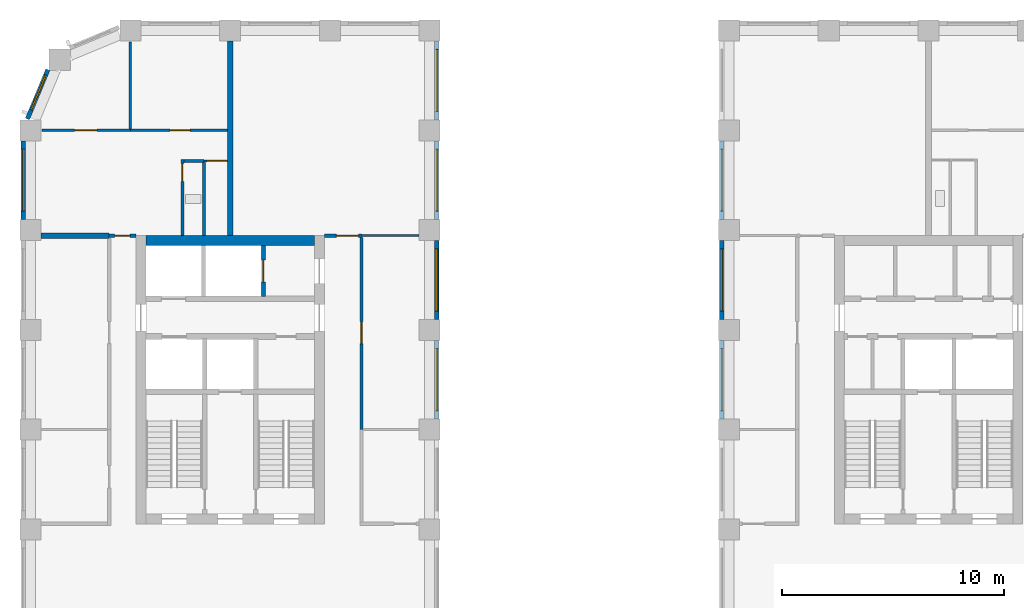
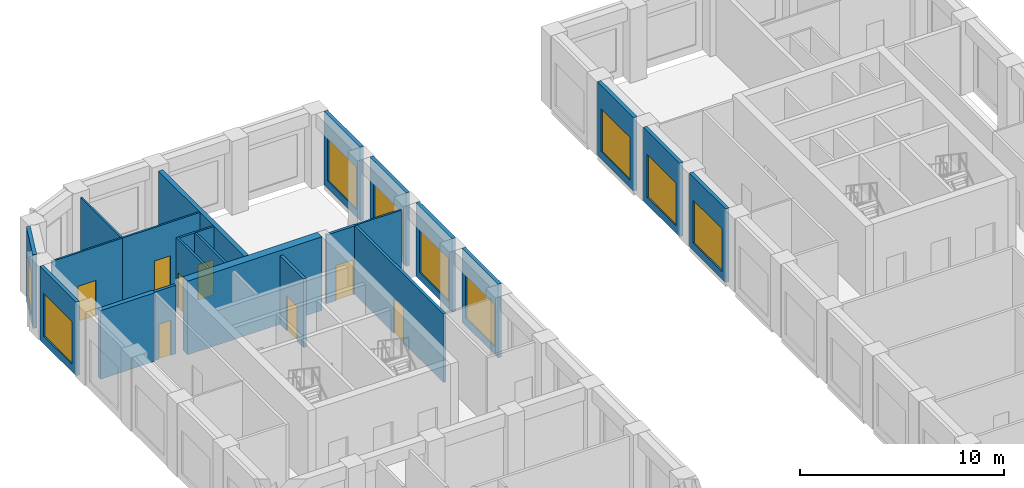
# One storey, part 7 of 13: 24 walls, 9 windows, 8 doors, 17 openings.
"""IFC4 building model written with IfcOpenShell, lengths in metres."""

from ifc_helpers import new_model, si_unit, direction, frame, frame_2d, origin, place, context, subcontext, project, spatial, rectangle, extrude, material, layer, layer_set, type_object, element, fill, save


model = new_model("IFC4")

# Units and contexts
model_context = context("Model", 3, precision=1e-05, world=origin(), true_north=direction((0.0, 1.0)))
body_context = subcontext(model_context, "Body", "Model", "MODEL_VIEW")
ifc_project = project(units=[si_unit("LENGTHUNIT", "METRE"), si_unit("AREAUNIT", "SQUARE_METRE"), si_unit("VOLUMEUNIT", "CUBIC_METRE"), si_unit("PLANEANGLEUNIT", "RADIAN"), si_unit("MASSUNIT", "GRAM", prefix="KILO")], contexts=[model_context])

# Site, building, storey
site_placement = place(None, origin())
site = spatial("IfcSite", under=ifc_project, at=site_placement, CompositionType="ELEMENT")
building_placement = place(site_placement, origin())
building = spatial("IfcBuilding", under=site, at=building_placement, Name="Girih Gate Residences", CompositionType="ELEMENT")
storey_placement = place(building_placement, frame((0.0, 0.0, 150.60009765625)))
storey = spatial("IfcBuildingStorey", under=building, at=storey_placement, Name="L42", CompositionType="ELEMENT", Elevation=150.60009765625)

# Walls
ifc_material_1 = material(Name="Gypsum board on steel studs", Category="steel")
ifc_layer_1 = layer(ifc_material_1, 0.25)
ifc_layer_set_1 = layer_set([ifc_layer_1], Name="Acoustic separating wall 250 mm")
wall_type_1 = type_object("IfcWallType", Name="Acoustic separating wall 250 mm", PredefinedType="PARTITIONING", material=ifc_layer_set_1)
wall_1_placement = place(storey_placement, frame((0.47509765625, 40.25, 0.0), z_axis=(0.0, 0.0, 1.0), x_axis=(1.0, 0.0, 0.0)))
element("IfcWall", 1, at=wall_1_placement, inside=storey, type_object=wall_type_1, Name="L42 partition", PredefinedType="PARTITIONING", context=body_context, shape_type="SweptSolid", body=[
    extrude(rectangle(XDim=3.074951171875, YDim=0.25, at=frame_2d((1.53759765625, 0.0))), origin(), (0.0, 0.0, 1.0), 4.099853515625),
])
wall_2_placement = place(storey_placement, frame((9.0, 40.25, 0.0), z_axis=(0.0, 0.0, 1.0), x_axis=(0.0, 1.0, 0.0)))
element("IfcWall", 2, at=wall_2_placement, inside=storey, type_object=wall_type_1, Name="L42 partition", PredefinedType="PARTITIONING", context=body_context, shape_type="SweptSolid", body=[
    extrude(rectangle(XDim=8.77490234375, YDim=0.25, at=frame_2d((4.387451171875, 0.0))), origin(), (0.0, 0.0, 1.0), 4.099853515625),
])

# Wall, opening, door
ifc_layer_2 = layer(ifc_material_1, 0.14990234375)
ifc_layer_set_2 = layer_set([ifc_layer_2], Name="Compartment wall 150 mm")
wall_type_2 = type_object("IfcWallType", Name="Compartment wall 150 mm", PredefinedType="PARTITIONING", material=ifc_layer_set_2)
wall_3_placement = place(storey_placement, frame((3.550048828125, 40.25, 0.0), z_axis=(0.0, 0.0, 1.0), x_axis=(1.0, 0.0, 0.0)))
wall_3 = element("IfcWall", 3, at=wall_3_placement, inside=storey, type_object=wall_type_2, Name="L42 partition", PredefinedType="PARTITIONING", context=body_context, shape_type="SweptSolid", body=[
    extrude(rectangle(XDim=1.199951171875, YDim=0.14990234375, at=frame_2d((0.60009765625, 0.0))), origin(), (0.0, 0.0, 1.0), 4.099853515625),
])
opening_1_placement = place(wall_3_placement, frame((0.239990234375, 0.0, 0.0)))
opening_1 = element("IfcOpeningElement", 4, at=opening_1_placement, cuts=wall_3, Name="Opening A42-011", PredefinedType="OPENING", context=body_context, shape_type="SweptSolid", body=[
    extrude(rectangle(XDim=0.699951171875, YDim=2.10009765625, at=frame_2d((0.35009765625, 1.050048828125))), frame((0.0, 0.0849609375, 0.0), z_axis=(0.0, -1.0, 0.0), x_axis=(1.0, 0.0, 0.0)), (0.0, 0.0, 1.0), 0.169921875),
])
ifc_material_2 = material(Name="Timber", Category="wood")
door_type_1 = type_object("IfcDoorType", Name="Narrow door 700x2100", OperationType="NOTDEFINED", PredefinedType="DOOR", material=ifc_material_2)
door_1_placement = place(opening_1_placement, origin())
door_1 = element("IfcDoor", 5, at=door_1_placement, inside=storey, type_object=door_type_1, Name="Door A42-011", OperationType="SINGLE_SWING_LEFT", OverallHeight=2.10009765625, OverallWidth=0.699951171875, PredefinedType="DOOR", context=body_context, shape_type="SweptSolid", body=[
    extrude(rectangle(XDim=0.699951171875, YDim=2.10009765625, at=frame_2d((0.35009765625, 1.050048828125))), frame((0.0, 0.02490234375, 0.0), z_axis=(0.0, -1.0, 0.0), x_axis=(1.0, 0.0, 0.0)), (0.0, 0.0, 1.0), 0.050048828125),
])
fill(opening_1, door_1)

wall_4_placement = place(storey_placement, frame((13.25, 40.25, 0.0), z_axis=(0.0, 0.0, 1.0), x_axis=(1.0, 0.0, 0.0)))
wall_4 = element("IfcWall", 6, at=wall_4_placement, inside=storey, type_object=wall_type_2, Name="L42 partition", PredefinedType="PARTITIONING", context=body_context, shape_type="SweptSolid", body=[
    extrude(rectangle(XDim=1.675048828125, YDim=0.14990234375, at=frame_2d((0.83740234375, 0.0))), origin(), (0.0, 0.0, 1.0), 4.099853515625),
])
opening_2_placement = place(wall_4_placement, frame((0.544921875, 0.0, 0.0)))
opening_2 = element("IfcOpeningElement", 7, at=opening_2_placement, cuts=wall_4, Name="Opening A42-034", PredefinedType="OPENING", context=body_context, shape_type="SweptSolid", body=[
    extrude(rectangle(XDim=1.0, YDim=2.10009765625, at=frame_2d((0.5, 1.050048828125))), frame((0.0, 0.0849609375, 0.0), z_axis=(0.0, -1.0, 0.0), x_axis=(1.0, 0.0, 0.0)), (0.0, 0.0, 1.0), 0.169921875),
])
ifc_material_3 = material(Name="Timber, fire-rated core", Category="wood")
door_type_2 = type_object("IfcDoorType", Name="Amenity room door 1000x2100 FD30S", OperationType="NOTDEFINED", PredefinedType="DOOR", material=ifc_material_3)
door_2_placement = place(opening_2_placement, origin())
door_2 = element("IfcDoor", 8, at=door_2_placement, inside=storey, type_object=door_type_2, Name="Door A42-034", OperationType="SINGLE_SWING_RIGHT", OverallHeight=2.10009765625, OverallWidth=1.0, PredefinedType="DOOR", context=body_context, shape_type="SweptSolid", body=[
    extrude(rectangle(XDim=1.0, YDim=2.10009765625, at=frame_2d((0.5, 1.050048828125))), frame((0.0, 0.02490234375, 0.0), z_axis=(0.0, -1.0, 0.0), x_axis=(1.0, 0.0, 0.0)), (0.0, 0.0, 1.0), 0.050048828125),
])
fill(opening_2, door_2)

wall_5_placement = place(storey_placement, frame((14.925048828125, 40.175048828125, 0.0), z_axis=(0.0, 0.0, 1.0), x_axis=(0.0, -1.0, 0.0)))
wall_5 = element("IfcWall", 9, at=wall_5_placement, inside=storey, type_object=wall_type_2, Name="L42 partition", PredefinedType="PARTITIONING", context=body_context, shape_type="SweptSolid", body=[
    extrude(rectangle(XDim=8.675048828125, YDim=0.14990234375, at=frame_2d((4.33740234375, 0.0))), origin(), (0.0, 0.0, 1.0), 4.099853515625),
])
opening_3_placement = place(wall_5_placement, frame((3.800048828125, 0.0, 0.0)))
opening_3 = element("IfcOpeningElement", 10, at=opening_3_placement, cuts=wall_5, Name="Opening A42-040", PredefinedType="OPENING", context=body_context, shape_type="SweptSolid", body=[
    extrude(rectangle(XDim=1.0, YDim=2.10009765625, at=frame_2d((0.5, 1.050048828125))), frame((0.0, 0.0849609375, 0.0), z_axis=(0.0, -1.0, 0.0), x_axis=(1.0, 0.0, 0.0)), (0.0, 0.0, 1.0), 0.169921875),
])
door_3_placement = place(opening_3_placement, origin())
door_3 = element("IfcDoor", 11, at=door_3_placement, inside=storey, type_object=door_type_2, Name="Door A42-040", OperationType="SINGLE_SWING_LEFT", OverallHeight=2.10009765625, OverallWidth=1.0, PredefinedType="DOOR", context=body_context, shape_type="SweptSolid", body=[
    extrude(rectangle(XDim=1.0, YDim=2.10009765625, at=frame_2d((0.5, 1.050048828125))), frame((0.0, 0.02490234375, 0.0), z_axis=(0.0, -1.0, 0.0), x_axis=(1.0, 0.0, 0.0)), (0.0, 0.0, 1.0), 0.050048828125),
])
fill(opening_3, door_3)

# Wall
ifc_material_4 = material(Name="Concrete C60/75", Category="concrete")
ifc_layer_3 = layer(ifc_material_4, 0.449951171875)
ifc_layer_set_3 = layer_set([ifc_layer_3], Name="Core wall RC 450 Concrete C60/75")
wall_type_3 = type_object("IfcWallType", Name="Core wall RC 450 Concrete C60/75", PredefinedType="SOLIDWALL", material=ifc_layer_set_3)
wall_6_placement = place(storey_placement, frame((5.199951171875, 40.02490234375, 0.0), z_axis=(0.0, 0.0, 1.0), x_axis=(1.0, 0.0, 0.0)))
element("IfcWall", 12, at=wall_6_placement, inside=storey, type_object=wall_type_3, Name="Core wall W-N L42", PredefinedType="SOLIDWALL", context=body_context, shape_type="SweptSolid", body=[
    extrude(rectangle(XDim=7.60009765625, YDim=0.449951171875, at=frame_2d((3.800048828125, 0.0))), origin(), (0.0, 0.0, 1.0), 4.39990234375),
])

# Wall, opening, door
ifc_layer_4 = layer(ifc_material_1, 0.10009765625)
ifc_layer_set_4 = layer_set([ifc_layer_4], Name="Partition 100 mm")
wall_type_4 = type_object("IfcWallType", Name="Partition 100 mm", PredefinedType="PARTITIONING", material=ifc_layer_set_4)
wall_7_placement = place(storey_placement, frame((4.5, 45.0, 0.0), z_axis=(0.0, 0.0, 1.0), x_axis=(1.0, 0.0, 0.0)))
wall_7 = element("IfcWall", 13, at=wall_7_placement, inside=storey, type_object=wall_type_4, Name="L42 partition", PredefinedType="PARTITIONING", context=body_context, shape_type="SweptSolid", body=[
    extrude(rectangle(XDim=4.375, YDim=0.10009765625, at=frame_2d((2.1875, 0.0))), origin(), (0.0, 0.0, 1.0), 4.099853515625),
])
opening_4_placement = place(wall_7_placement, frame((1.800048828125, 0.0, 0.0)))
opening_4 = element("IfcOpeningElement", 14, at=opening_4_placement, cuts=wall_7, Name="Opening A42-008", PredefinedType="OPENING", context=body_context, shape_type="SweptSolid", body=[
    extrude(rectangle(XDim=0.89990234375, YDim=2.10009765625, at=frame_2d((0.449951171875, 1.050048828125))), frame((0.0, 0.06005859375, 0.0), z_axis=(0.0, -1.0, 0.0), x_axis=(1.0, 0.0, 0.0)), (0.0, 0.0, 1.0), 0.1201171875),
])
door_type_3 = type_object("IfcDoorType", Name="Bedroom door 900x2100", OperationType="NOTDEFINED", PredefinedType="DOOR", material=ifc_material_2)
door_4_placement = place(opening_4_placement, origin())
door_4 = element("IfcDoor", 15, at=door_4_placement, inside=storey, type_object=door_type_3, Name="Door A42-008", OperationType="SINGLE_SWING_RIGHT", OverallHeight=2.10009765625, OverallWidth=0.89990234375, PredefinedType="DOOR", context=body_context, shape_type="SweptSolid", body=[
    extrude(rectangle(XDim=0.89990234375, YDim=2.10009765625, at=frame_2d((0.449951171875, 1.050048828125))), frame((0.0, 0.02490234375, 0.0), z_axis=(0.0, -1.0, 0.0), x_axis=(1.0, 0.0, 0.0)), (0.0, 0.0, 1.0), 0.050048828125),
])
fill(opening_4, door_4)

# Wall
wall_8_placement = place(storey_placement, frame((4.5, 45.050048828125, 0.0), z_axis=(0.0, 0.0, 1.0), x_axis=(0.0, 1.0, 0.0)))
element("IfcWall", 16, at=wall_8_placement, inside=storey, type_object=wall_type_4, Name="L42 partition", PredefinedType="PARTITIONING", context=body_context, shape_type="SweptSolid", body=[
    extrude(rectangle(XDim=3.935791015625, YDim=0.10009765625, at=frame_2d((1.9677734375, 0.0))), origin(), (0.0, 0.0, 1.0), 4.099853515625),
])

# Wall, opening, door
wall_9_placement = place(storey_placement, frame((8.875, 43.6201171875, 0.0), z_axis=(0.0, 0.0, 1.0), x_axis=(-1.0, 0.0, 0.0)))
wall_9 = element("IfcWall", 17, at=wall_9_placement, inside=storey, type_object=wall_type_4, Name="L42 partition", PredefinedType="PARTITIONING", context=body_context, shape_type="SweptSolid", body=[
    extrude(rectangle(XDim=1.047607421875, YDim=0.10009765625, at=frame_2d((0.52392578125, 0.0))), origin(), (0.0, 0.0, 1.0), 4.099853515625),
])
opening_5_placement = place(wall_9_placement, frame((0.011474609375, 0.0, 0.0)))
opening_5 = element("IfcOpeningElement", 18, at=opening_5_placement, cuts=wall_9, Name="Opening A42-009", PredefinedType="OPENING", context=body_context, shape_type="SweptSolid", body=[
    extrude(rectangle(XDim=0.89990234375, YDim=2.10009765625, at=frame_2d((0.449951171875, 1.050048828125))), frame((0.0, 0.06005859375, 0.0), z_axis=(0.0, -1.0, 0.0), x_axis=(1.0, 0.0, 0.0)), (0.0, 0.0, 1.0), 0.1201171875),
])
door_type_4 = type_object("IfcDoorType", Name="Kitchen door 900x2100", OperationType="NOTDEFINED", PredefinedType="DOOR", material=ifc_material_2)
door_5_placement = place(opening_5_placement, origin())
door_5 = element("IfcDoor", 19, at=door_5_placement, inside=storey, type_object=door_type_4, Name="Door A42-009", OperationType="SINGLE_SWING_LEFT", OverallHeight=2.10009765625, OverallWidth=0.89990234375, PredefinedType="DOOR", context=body_context, shape_type="SweptSolid", body=[
    extrude(rectangle(XDim=0.89990234375, YDim=2.10009765625, at=frame_2d((0.449951171875, 1.050048828125))), frame((0.0, 0.02490234375, 0.0), z_axis=(0.0, -1.0, 0.0), x_axis=(1.0, 0.0, 0.0)), (0.0, 0.0, 1.0), 0.050048828125),
])
fill(opening_5, door_5)

wall_10_placement = place(storey_placement, frame((0.51416015625, 45.0, 0.0), z_axis=(0.0, 0.0, 1.0), x_axis=(1.0, 0.0, 0.0)))
wall_10 = element("IfcWall", 20, at=wall_10_placement, inside=storey, type_object=wall_type_4, Name="L42 partition", PredefinedType="PARTITIONING", context=body_context, shape_type="SweptSolid", body=[
    extrude(rectangle(XDim=3.98583984375, YDim=0.10009765625, at=frame_2d((1.992919921875, 0.0))), origin(), (0.0, 0.0, 1.0), 4.099853515625),
])
opening_6_placement = place(wall_10_placement, frame((1.473388671875, 0.0, 0.0)))
opening_6 = element("IfcOpeningElement", 21, at=opening_6_placement, cuts=wall_10, Name="Opening A42-010", PredefinedType="OPENING", context=body_context, shape_type="SweptSolid", body=[
    extrude(rectangle(XDim=1.0, YDim=2.10009765625, at=frame_2d((0.5, 1.050048828125))), frame((0.0, 0.06005859375, 0.0), z_axis=(0.0, -1.0, 0.0), x_axis=(1.0, 0.0, 0.0)), (0.0, 0.0, 1.0), 0.1201171875),
])
door_type_5 = type_object("IfcDoorType", Name="Living room door 1000x2100", OperationType="NOTDEFINED", PredefinedType="DOOR", material=ifc_material_2)
door_6_placement = place(opening_6_placement, origin())
door_6 = element("IfcDoor", 22, at=door_6_placement, inside=storey, type_object=door_type_5, Name="Door A42-010", OperationType="SINGLE_SWING_LEFT", OverallHeight=2.10009765625, OverallWidth=1.0, PredefinedType="DOOR", context=body_context, shape_type="SweptSolid", body=[
    extrude(rectangle(XDim=1.0, YDim=2.10009765625, at=frame_2d((0.5, 1.050048828125))), frame((0.0, 0.02490234375, 0.0), z_axis=(0.0, -1.0, 0.0), x_axis=(1.0, 0.0, 0.0)), (0.0, 0.0, 1.0), 0.050048828125),
])
fill(opening_6, door_6)

# Wall
wall_11_placement = place(storey_placement, frame((14.925048828125, 40.25, 0.0), z_axis=(0.0, 0.0, 1.0), x_axis=(1.0, 0.0, 0.0)))
element("IfcWall", 23, at=wall_11_placement, inside=storey, type_object=wall_type_4, Name="L42 partition", PredefinedType="PARTITIONING", context=body_context, shape_type="SweptSolid", body=[
    extrude(rectangle(XDim=2.599853515625, YDim=0.10009765625, at=frame_2d((1.2998046875, 0.0))), origin(), (0.0, 0.0, 1.0), 4.099853515625),
])

# Wall, opening, window
ifc_material_5 = material(Name="Precast concrete C50/60", Category="concrete")
ifc_layer_5 = layer(ifc_material_5, 0.06005859375, Name="Outer leaf")
ifc_material_6 = material(Name="Rigid PIR insulation")
ifc_layer_6 = layer(ifc_material_6, 0.090087890625, Name="Insulation")
ifc_material_7 = material(Name="Precast concrete C40/50", Category="concrete")
ifc_layer_7 = layer(ifc_material_7, 0.050048828125, Name="Inner leaf")
ifc_layer_set_5 = layer_set([ifc_layer_5, ifc_layer_6, ifc_layer_7], Name="Precast concrete C50/60 external wall 200")
wall_type_5 = type_object("IfcWallType", Name="Precast concrete C50/60 external wall 200", PredefinedType="SOLIDWALL", material=ifc_layer_set_5)
wall_12_placement = place(storey_placement, frame((-0.13916015625, 45.51318359375, 0.0), z_axis=(0.0, 0.0, 1.0), x_axis=(0.382680855588, 0.923880599843, 0.0)))
wall_12 = element("IfcWall", 24, at=wall_12_placement, inside=storey, type_object=wall_type_5, Name="External wall NW0013_0482.0", PredefinedType="SOLIDWALL", context=body_context, shape_type="SweptSolid", body=[
    extrude(rectangle(XDim=2.402587890625, YDim=0.199951171875, at=frame_2d((1.201171875, 0.0))), origin(), (0.0, 0.0, 1.0), 4.39990234375),
])
opening_7_placement = place(wall_12_placement, frame((0.451171875, 0.0, 0.449951171875)))
opening_7 = element("IfcOpeningElement", 25, at=opening_7_placement, cuts=wall_12, Name="Opening W-2F", PredefinedType="OPENING", context=body_context, shape_type="SweptSolid", body=[
    extrude(rectangle(XDim=1.699951171875, YDim=2.550048828125, at=frame_2d((0.85009765625, 1.27490234375))), frame((0.0, 0.10986328125, 0.0), z_axis=(0.0, -1.0, 0.0), x_axis=(1.0, 0.0, 0.0)), (0.0, 0.0, 1.0), 0.219970703125),
])
ifc_material_8 = material(Name="Double glazing in aluminium frame", Category="aluminium")
window_type_1 = type_object("IfcWindowType", Name="Window W-2F 1700x2550", PartitioningType="SINGLE_PANEL", PredefinedType="WINDOW", material=ifc_material_8)
window_1_placement = place(opening_7_placement, origin())
window_1 = element("IfcWindow", 26, at=window_1_placement, inside=storey, type_object=window_type_1, Name="Window W-2F NW0013_0482.0", OverallHeight=2.550048828125, OverallWidth=1.699951171875, PartitioningType="SINGLE_PANEL", PredefinedType="WINDOW", context=body_context, shape_type="SweptSolid", body=[
    extrude(rectangle(XDim=1.699951171875, YDim=2.550048828125, at=frame_2d((0.85009765625, 1.27490234375))), frame((0.0, 0.030029296875, 0.0), z_axis=(0.0, -1.0, 0.0), x_axis=(1.0, 0.0, 0.0)), (0.0, 0.0, 1.0), 0.06005859375),
])
fill(opening_7, window_1)

wall_13_placement = place(storey_placement, frame((-0.324951171875, 40.97509765625, 0.0), z_axis=(0.0, 0.0, 1.0), x_axis=(0.0, 1.0, 0.0)))
wall_13 = element("IfcWall", 27, at=wall_13_placement, inside=storey, type_object=wall_type_5, Name="External wall W0000_0450.0", PredefinedType="SOLIDWALL", context=body_context, shape_type="SweptSolid", body=[
    extrude(rectangle(XDim=3.5498046875, YDim=0.199951171875, at=frame_2d((1.77490234375, 0.0))), origin(), (0.0, 0.0, 1.0), 4.39990234375),
])
opening_8_placement = place(wall_13_placement, frame((0.375, 0.0, 0.449951171875)))
opening_8 = element("IfcOpeningElement", 28, at=opening_8_placement, cuts=wall_13, Name="Opening W-6A", PredefinedType="OPENING", context=body_context, shape_type="SweptSolid", body=[
    extrude(rectangle(XDim=2.800048828125, YDim=2.550048828125, at=frame_2d((1.39990234375, 1.27490234375))), frame((0.0, 0.10986328125, 0.0), z_axis=(0.0, -1.0, 0.0), x_axis=(1.0, 0.0, 0.0)), (0.0, 0.0, 1.0), 0.219970703125),
])
window_type_2 = type_object("IfcWindowType", Name="Window W-6A 2800x2550", PartitioningType="SINGLE_PANEL", PredefinedType="WINDOW", material=ifc_material_8)
window_2_placement = place(opening_8_placement, origin())
window_2 = element("IfcWindow", 29, at=window_2_placement, inside=storey, type_object=window_type_2, Name="Window W-6A W0000_0450.0", OverallHeight=2.550048828125, OverallWidth=2.800048828125, PartitioningType="SINGLE_PANEL", PredefinedType="WINDOW", context=body_context, shape_type="SweptSolid", body=[
    extrude(rectangle(XDim=2.800048828125, YDim=2.550048828125, at=frame_2d((1.39990234375, 1.27490234375))), frame((0.0, 0.030029296875, 0.0), z_axis=(0.0, -1.0, 0.0), x_axis=(1.0, 0.0, 0.0)), (0.0, 0.0, 1.0), 0.06005859375),
])
fill(opening_8, window_2)

wall_14_placement = place(storey_placement, frame((18.324951171875, 35.52490234375, 0.0), z_axis=(0.0, 0.0, 1.0), x_axis=(0.0, -1.0, 0.0)))
wall_14 = element("IfcWall", 30, at=wall_14_placement, inside=storey, type_object=wall_type_5, Name="External wall E0180_0000.7", PredefinedType="SOLIDWALL", context=body_context, shape_type="SweptSolid", body=[
    extrude(rectangle(XDim=3.5498046875, YDim=0.199951171875, at=frame_2d((1.77490234375, 0.0))), origin(), (0.0, 0.0, 1.0), 4.39990234375),
])
opening_9_placement = place(wall_14_placement, frame((0.375, 0.0, 0.449951171875)))
opening_9 = element("IfcOpeningElement", 31, at=opening_9_placement, cuts=wall_14, Name="Opening W-6A", PredefinedType="OPENING", context=body_context, shape_type="SweptSolid", body=[
    extrude(rectangle(XDim=2.800048828125, YDim=2.550048828125, at=frame_2d((1.39990234375, 1.27490234375))), frame((0.0, 0.10986328125, 0.0), z_axis=(0.0, -1.0, 0.0), x_axis=(1.0, 0.0, 0.0)), (0.0, 0.0, 1.0), 0.219970703125),
])
window_3_placement = place(opening_9_placement, origin())
window_3 = element("IfcWindow", 32, at=window_3_placement, inside=storey, type_object=window_type_2, Name="Window W-6A E0180_0000.7", OverallHeight=2.550048828125, OverallWidth=2.800048828125, PartitioningType="SINGLE_PANEL", PredefinedType="WINDOW", context=body_context, shape_type="SweptSolid", body=[
    extrude(rectangle(XDim=2.800048828125, YDim=2.550048828125, at=frame_2d((1.39990234375, 1.27490234375))), frame((0.0, 0.030029296875, 0.0), z_axis=(0.0, -1.0, 0.0), x_axis=(1.0, 0.0, 0.0)), (0.0, 0.0, 1.0), 0.06005859375),
])
fill(opening_9, window_3)

wall_15_placement = place(storey_placement, frame((18.324951171875, 40.02490234375, 0.0), z_axis=(0.0, 0.0, 1.0), x_axis=(0.0, -1.0, 0.0)))
wall_15 = element("IfcWall", 33, at=wall_15_placement, inside=storey, type_object=wall_type_5, Name="External wall E0180_0000.8", PredefinedType="SOLIDWALL", context=body_context, shape_type="SweptSolid", body=[
    extrude(rectangle(XDim=3.5498046875, YDim=0.199951171875, at=frame_2d((1.77490234375, 0.0))), origin(), (0.0, 0.0, 1.0), 4.39990234375),
])
opening_10_placement = place(wall_15_placement, frame((0.375, 0.0, 0.449951171875)))
opening_10 = element("IfcOpeningElement", 34, at=opening_10_placement, cuts=wall_15, Name="Opening W-6A", PredefinedType="OPENING", context=body_context, shape_type="SweptSolid", body=[
    extrude(rectangle(XDim=2.800048828125, YDim=2.550048828125, at=frame_2d((1.39990234375, 1.27490234375))), frame((0.0, 0.10986328125, 0.0), z_axis=(0.0, -1.0, 0.0), x_axis=(1.0, 0.0, 0.0)), (0.0, 0.0, 1.0), 0.219970703125),
])
window_4_placement = place(opening_10_placement, origin())
window_4 = element("IfcWindow", 35, at=window_4_placement, inside=storey, type_object=window_type_2, Name="Window W-6A E0180_0000.8", OverallHeight=2.550048828125, OverallWidth=2.800048828125, PartitioningType="SINGLE_PANEL", PredefinedType="WINDOW", context=body_context, shape_type="SweptSolid", body=[
    extrude(rectangle(XDim=2.800048828125, YDim=2.550048828125, at=frame_2d((1.39990234375, 1.27490234375))), frame((0.0, 0.030029296875, 0.0), z_axis=(0.0, -1.0, 0.0), x_axis=(1.0, 0.0, 0.0)), (0.0, 0.0, 1.0), 0.06005859375),
])
fill(opening_10, window_4)

wall_16_placement = place(storey_placement, frame((18.324951171875, 44.52490234375, 0.0), z_axis=(0.0, 0.0, 1.0), x_axis=(0.0, -1.0, 0.0)))
wall_16 = element("IfcWall", 36, at=wall_16_placement, inside=storey, type_object=wall_type_5, Name="External wall E0180_0000.9", PredefinedType="SOLIDWALL", context=body_context, shape_type="SweptSolid", body=[
    extrude(rectangle(XDim=3.5498046875, YDim=0.199951171875, at=frame_2d((1.77490234375, 0.0))), origin(), (0.0, 0.0, 1.0), 4.39990234375),
])
opening_11_placement = place(wall_16_placement, frame((0.375, 0.0, 0.449951171875)))
opening_11 = element("IfcOpeningElement", 37, at=opening_11_placement, cuts=wall_16, Name="Opening W-6A", PredefinedType="OPENING", context=body_context, shape_type="SweptSolid", body=[
    extrude(rectangle(XDim=2.800048828125, YDim=2.550048828125, at=frame_2d((1.39990234375, 1.27490234375))), frame((0.0, 0.10986328125, 0.0), z_axis=(0.0, -1.0, 0.0), x_axis=(1.0, 0.0, 0.0)), (0.0, 0.0, 1.0), 0.219970703125),
])
window_5_placement = place(opening_11_placement, origin())
window_5 = element("IfcWindow", 38, at=window_5_placement, inside=storey, type_object=window_type_2, Name="Window W-6A E0180_0000.9", OverallHeight=2.550048828125, OverallWidth=2.800048828125, PartitioningType="SINGLE_PANEL", PredefinedType="WINDOW", context=body_context, shape_type="SweptSolid", body=[
    extrude(rectangle(XDim=2.800048828125, YDim=2.550048828125, at=frame_2d((1.39990234375, 1.27490234375))), frame((0.0, 0.030029296875, 0.0), z_axis=(0.0, -1.0, 0.0), x_axis=(1.0, 0.0, 0.0)), (0.0, 0.0, 1.0), 0.06005859375),
])
fill(opening_11, window_5)

wall_17_placement = place(storey_placement, frame((18.324951171875, 49.02490234375, 0.0), z_axis=(0.0, 0.0, 1.0), x_axis=(0.0, -1.0, 0.0)))
wall_17 = element("IfcWall", 39, at=wall_17_placement, inside=storey, type_object=wall_type_5, Name="External wall E0180_0000.10", PredefinedType="SOLIDWALL", context=body_context, shape_type="SweptSolid", body=[
    extrude(rectangle(XDim=3.5498046875, YDim=0.199951171875, at=frame_2d((1.77490234375, 0.0))), origin(), (0.0, 0.0, 1.0), 4.39990234375),
])
opening_12_placement = place(wall_17_placement, frame((0.375, 0.0, 0.449951171875)))
opening_12 = element("IfcOpeningElement", 40, at=opening_12_placement, cuts=wall_17, Name="Opening W-6A", PredefinedType="OPENING", context=body_context, shape_type="SweptSolid", body=[
    extrude(rectangle(XDim=2.800048828125, YDim=2.550048828125, at=frame_2d((1.39990234375, 1.27490234375))), frame((0.0, 0.10986328125, 0.0), z_axis=(0.0, -1.0, 0.0), x_axis=(1.0, 0.0, 0.0)), (0.0, 0.0, 1.0), 0.219970703125),
])
window_6_placement = place(opening_12_placement, origin())
window_6 = element("IfcWindow", 41, at=window_6_placement, inside=storey, type_object=window_type_2, Name="Window W-6A E0180_0000.10", OverallHeight=2.550048828125, OverallWidth=2.800048828125, PartitioningType="SINGLE_PANEL", PredefinedType="WINDOW", context=body_context, shape_type="SweptSolid", body=[
    extrude(rectangle(XDim=2.800048828125, YDim=2.550048828125, at=frame_2d((1.39990234375, 1.27490234375))), frame((0.0, 0.030029296875, 0.0), z_axis=(0.0, -1.0, 0.0), x_axis=(1.0, 0.0, 0.0)), (0.0, 0.0, 1.0), 0.06005859375),
])
fill(opening_12, window_6)

wall_18_placement = place(storey_placement, frame((31.175048828125, 40.97509765625, 0.0), z_axis=(0.0, 0.0, 1.0), x_axis=(0.0, 1.0, 0.0)))
wall_18 = element("IfcWall", 42, at=wall_18_placement, inside=storey, type_object=wall_type_5, Name="External wall W0315_0495.1", PredefinedType="SOLIDWALL", context=body_context, shape_type="SweptSolid", body=[
    extrude(rectangle(XDim=3.5498046875, YDim=0.199951171875, at=frame_2d((1.77490234375, 0.0))), origin(), (0.0, 0.0, 1.0), 4.39990234375),
])
opening_13_placement = place(wall_18_placement, frame((0.375, 0.0, 0.449951171875)))
opening_13 = element("IfcOpeningElement", 43, at=opening_13_placement, cuts=wall_18, Name="Opening W-6A", PredefinedType="OPENING", context=body_context, shape_type="SweptSolid", body=[
    extrude(rectangle(XDim=2.800048828125, YDim=2.550048828125, at=frame_2d((1.39990234375, 1.27490234375))), frame((0.0, 0.10986328125, 0.0), z_axis=(0.0, -1.0, 0.0), x_axis=(1.0, 0.0, 0.0)), (0.0, 0.0, 1.0), 0.219970703125),
])
window_7_placement = place(opening_13_placement, origin())
window_7 = element("IfcWindow", 44, at=window_7_placement, inside=storey, type_object=window_type_2, Name="Window W-6A W0315_0495.1", OverallHeight=2.550048828125, OverallWidth=2.800048828125, PartitioningType="SINGLE_PANEL", PredefinedType="WINDOW", context=body_context, shape_type="SweptSolid", body=[
    extrude(rectangle(XDim=2.800048828125, YDim=2.550048828125, at=frame_2d((1.39990234375, 1.27490234375))), frame((0.0, 0.030029296875, 0.0), z_axis=(0.0, -1.0, 0.0), x_axis=(1.0, 0.0, 0.0)), (0.0, 0.0, 1.0), 0.06005859375),
])
fill(opening_13, window_7)

wall_19_placement = place(storey_placement, frame((31.175048828125, 36.47509765625, 0.0), z_axis=(0.0, 0.0, 1.0), x_axis=(0.0, 1.0, 0.0)))
wall_19 = element("IfcWall", 45, at=wall_19_placement, inside=storey, type_object=wall_type_5, Name="External wall W0315_0495.2", PredefinedType="SOLIDWALL", context=body_context, shape_type="SweptSolid", body=[
    extrude(rectangle(XDim=3.5498046875, YDim=0.199951171875, at=frame_2d((1.77490234375, 0.0))), origin(), (0.0, 0.0, 1.0), 4.39990234375),
])
opening_14_placement = place(wall_19_placement, frame((0.375, 0.0, 0.449951171875)))
opening_14 = element("IfcOpeningElement", 46, at=opening_14_placement, cuts=wall_19, Name="Opening W-6A", PredefinedType="OPENING", context=body_context, shape_type="SweptSolid", body=[
    extrude(rectangle(XDim=2.800048828125, YDim=2.550048828125, at=frame_2d((1.39990234375, 1.27490234375))), frame((0.0, 0.10986328125, 0.0), z_axis=(0.0, -1.0, 0.0), x_axis=(1.0, 0.0, 0.0)), (0.0, 0.0, 1.0), 0.219970703125),
])
window_8_placement = place(opening_14_placement, origin())
window_8 = element("IfcWindow", 47, at=window_8_placement, inside=storey, type_object=window_type_2, Name="Window W-6A W0315_0495.2", OverallHeight=2.550048828125, OverallWidth=2.800048828125, PartitioningType="SINGLE_PANEL", PredefinedType="WINDOW", context=body_context, shape_type="SweptSolid", body=[
    extrude(rectangle(XDim=2.800048828125, YDim=2.550048828125, at=frame_2d((1.39990234375, 1.27490234375))), frame((0.0, 0.030029296875, 0.0), z_axis=(0.0, -1.0, 0.0), x_axis=(1.0, 0.0, 0.0)), (0.0, 0.0, 1.0), 0.06005859375),
])
fill(opening_14, window_8)

wall_20_placement = place(storey_placement, frame((31.175048828125, 31.97509765625, 0.0), z_axis=(0.0, 0.0, 1.0), x_axis=(0.0, 1.0, 0.0)))
wall_20 = element("IfcWall", 48, at=wall_20_placement, inside=storey, type_object=wall_type_5, Name="External wall W0315_0495.3", PredefinedType="SOLIDWALL", context=body_context, shape_type="SweptSolid", body=[
    extrude(rectangle(XDim=3.5498046875, YDim=0.199951171875, at=frame_2d((1.77490234375, 0.0))), origin(), (0.0, 0.0, 1.0), 4.39990234375),
])
opening_15_placement = place(wall_20_placement, frame((0.375, 0.0, 0.449951171875)))
opening_15 = element("IfcOpeningElement", 49, at=opening_15_placement, cuts=wall_20, Name="Opening W-6A", PredefinedType="OPENING", context=body_context, shape_type="SweptSolid", body=[
    extrude(rectangle(XDim=2.800048828125, YDim=2.550048828125, at=frame_2d((1.39990234375, 1.27490234375))), frame((0.0, 0.10986328125, 0.0), z_axis=(0.0, -1.0, 0.0), x_axis=(1.0, 0.0, 0.0)), (0.0, 0.0, 1.0), 0.219970703125),
])
window_9_placement = place(opening_15_placement, origin())
window_9 = element("IfcWindow", 50, at=window_9_placement, inside=storey, type_object=window_type_2, Name="Window W-6A W0315_0495.3", OverallHeight=2.550048828125, OverallWidth=2.800048828125, PartitioningType="SINGLE_PANEL", PredefinedType="WINDOW", context=body_context, shape_type="SweptSolid", body=[
    extrude(rectangle(XDim=2.800048828125, YDim=2.550048828125, at=frame_2d((1.39990234375, 1.27490234375))), frame((0.0, 0.030029296875, 0.0), z_axis=(0.0, -1.0, 0.0), x_axis=(1.0, 0.0, 0.0)), (0.0, 0.0, 1.0), 0.06005859375),
])
fill(opening_15, window_9)

# Wall, opening, door
ifc_material_9 = material(Name="Concrete C40/50", Category="concrete")
ifc_layer_8 = layer(ifc_material_9, 0.175048828125)
ifc_layer_set_6 = layer_set([ifc_layer_8], Name="Riser shaft wall 175")
wall_type_6 = type_object("IfcWallType", Name="Riser shaft wall 175", PredefinedType="SOLIDWALL", material=ifc_layer_set_6)
wall_21_placement = place(storey_placement, frame((10.5, 37.5, 0.0), z_axis=(0.0, 0.0, 1.0), x_axis=(0.0, 1.0, 0.0)))
wall_21 = element("IfcWall", 51, at=wall_21_placement, inside=storey, type_object=wall_type_6, Name="L42 W core wall V2c", PredefinedType="SOLIDWALL", context=body_context, shape_type="SweptSolid", body=[
    extrude(rectangle(XDim=2.300048828125, YDim=0.175048828125, at=frame_2d((1.14990234375, 0.0))), origin(), (0.0, 0.0, 1.0), 4.099853515625),
])
opening_16_placement = place(wall_21_placement, frame((0.64990234375, 0.0, 0.0)))
opening_16 = element("IfcOpeningElement", 52, at=opening_16_placement, cuts=wall_21, Name="Opening D-L42-W-004", PredefinedType="OPENING", context=body_context, shape_type="SweptSolid", body=[
    extrude(rectangle(XDim=1.0, YDim=2.10009765625, at=frame_2d((0.5, 1.050048828125))), frame((0.0, 0.097412109375, 0.0), z_axis=(0.0, -1.0, 0.0), x_axis=(1.0, 0.0, 0.0)), (0.0, 0.0, 1.0), 0.195068359375),
])
ifc_material_10 = material(Name="Stainless steel, fire-resisting", Category="steel")
door_type_6 = type_object("IfcDoorType", Name="Firefighting lift landing door 1000x2100", OperationType="SLIDING_TO_LEFT", PredefinedType="DOOR", material=ifc_material_10)
door_7_placement = place(opening_16_placement, origin())
door_7 = element("IfcDoor", 53, at=door_7_placement, inside=storey, type_object=door_type_6, Name="L42 lift FF-W2 landing door", OperationType="SLIDING_TO_LEFT", OverallHeight=2.10009765625, OverallWidth=1.0, PredefinedType="DOOR", context=body_context, shape_type="SweptSolid", body=[
    extrude(rectangle(XDim=1.0, YDim=2.10009765625, at=frame_2d((0.5, 1.050048828125))), frame((0.0, 0.02490234375, 0.0), z_axis=(0.0, -1.0, 0.0), x_axis=(1.0, 0.0, 0.0)), (0.0, 0.0, 1.0), 0.050048828125),
])
fill(opening_16, door_7)

ifc_layer_9 = layer(ifc_material_1, 0.125)
ifc_layer_set_7 = layer_set([ifc_layer_9], Name="Wet room wall 125 mm")
wall_type_7 = type_object("IfcWallType", Name="Wet room wall 125 mm", PredefinedType="PARTITIONING", material=ifc_layer_set_7)
wall_22_placement = place(storey_placement, frame((6.85009765625, 43.6826171875, 0.0), z_axis=(0.0, 0.0, 1.0), x_axis=(0.0, -1.0, 0.0)))
wall_22 = element("IfcWall", 54, at=wall_22_placement, inside=storey, type_object=wall_type_7, Name="L42 partition", PredefinedType="PARTITIONING", context=body_context, shape_type="SweptSolid", body=[
    extrude(rectangle(XDim=3.4326171875, YDim=0.125, at=frame_2d((1.71630859375, 0.0))), origin(), (0.0, 0.0, 1.0), 4.099853515625),
])
opening_17_placement = place(wall_22_placement, frame((0.1826171875, 0.0, 0.0)))
opening_17 = element("IfcOpeningElement", 55, at=opening_17_placement, cuts=wall_22, Name="Opening A42-007", PredefinedType="OPENING", context=body_context, shape_type="SweptSolid", body=[
    extrude(rectangle(XDim=0.800048828125, YDim=2.10009765625, at=frame_2d((0.39990234375, 1.050048828125))), frame((0.0, 0.072509765625, 0.0), z_axis=(0.0, -1.0, 0.0), x_axis=(1.0, 0.0, 0.0)), (0.0, 0.0, 1.0), 0.14501953125),
])
door_type_7 = type_object("IfcDoorType", Name="Bathroom door 800x2100", OperationType="NOTDEFINED", PredefinedType="DOOR", material=ifc_material_2)
door_8_placement = place(opening_17_placement, origin())
door_8 = element("IfcDoor", 56, at=door_8_placement, inside=storey, type_object=door_type_7, Name="Door A42-007", OperationType="SINGLE_SWING_LEFT", OverallHeight=2.10009765625, OverallWidth=0.800048828125, PredefinedType="DOOR", context=body_context, shape_type="SweptSolid", body=[
    extrude(rectangle(XDim=0.800048828125, YDim=2.10009765625, at=frame_2d((0.39990234375, 1.050048828125))), frame((0.0, 0.02490234375, 0.0), z_axis=(0.0, -1.0, 0.0), x_axis=(1.0, 0.0, 0.0)), (0.0, 0.0, 1.0), 0.050048828125),
])
fill(opening_17, door_8)

# Walls
wall_23_placement = place(storey_placement, frame((6.91259765625, 43.6201171875, 0.0), z_axis=(0.0, 0.0, 1.0), x_axis=(1.0, 0.0, 0.0)))
element("IfcWall", 57, at=wall_23_placement, inside=storey, type_object=wall_type_7, Name="L42 partition", PredefinedType="PARTITIONING", context=body_context, shape_type="SweptSolid", body=[
    extrude(rectangle(XDim=0.914794921875, YDim=0.125, at=frame_2d((0.45751953125, 0.0))), origin(), (0.0, 0.0, 1.0), 4.099853515625),
])
wall_24_placement = place(storey_placement, frame((7.826904296875, 40.25, 0.0), z_axis=(0.0, 0.0, 1.0), x_axis=(0.0, 1.0, 0.0)))
element("IfcWall", 58, at=wall_24_placement, inside=storey, type_object=wall_type_7, Name="L42 partition", PredefinedType="PARTITIONING", context=body_context, shape_type="SweptSolid", body=[
    extrude(rectangle(XDim=3.3076171875, YDim=0.125, at=frame_2d((1.65380859375, 0.0))), origin(), (0.0, 0.0, 1.0), 4.099853515625),
])

save(model, "model.ifc")
